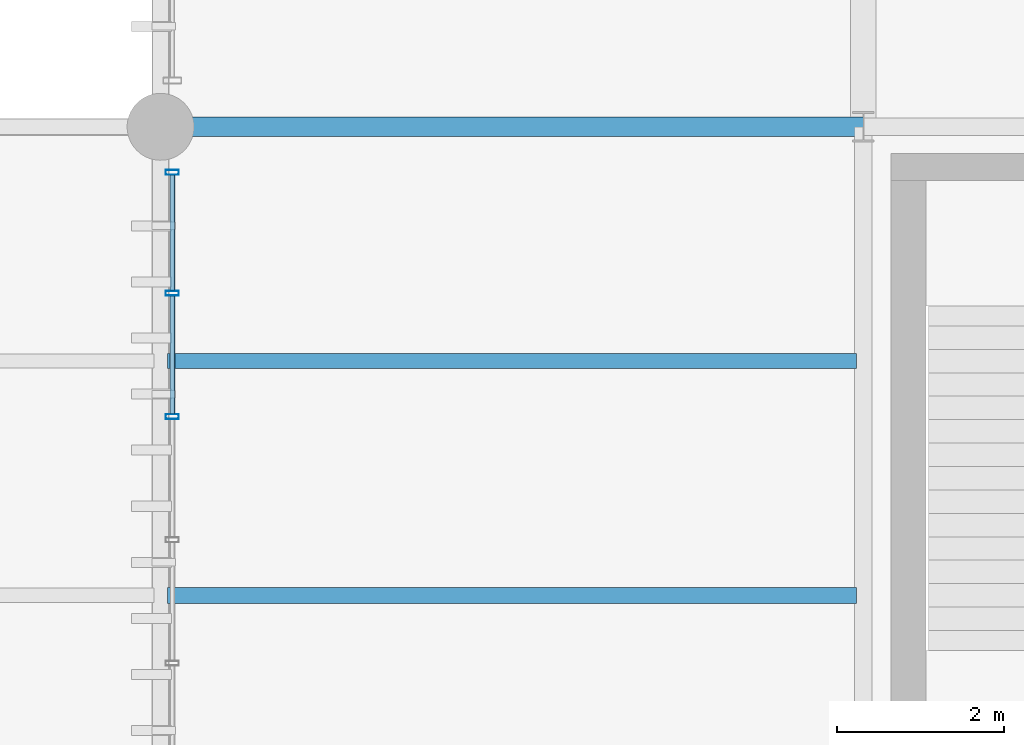
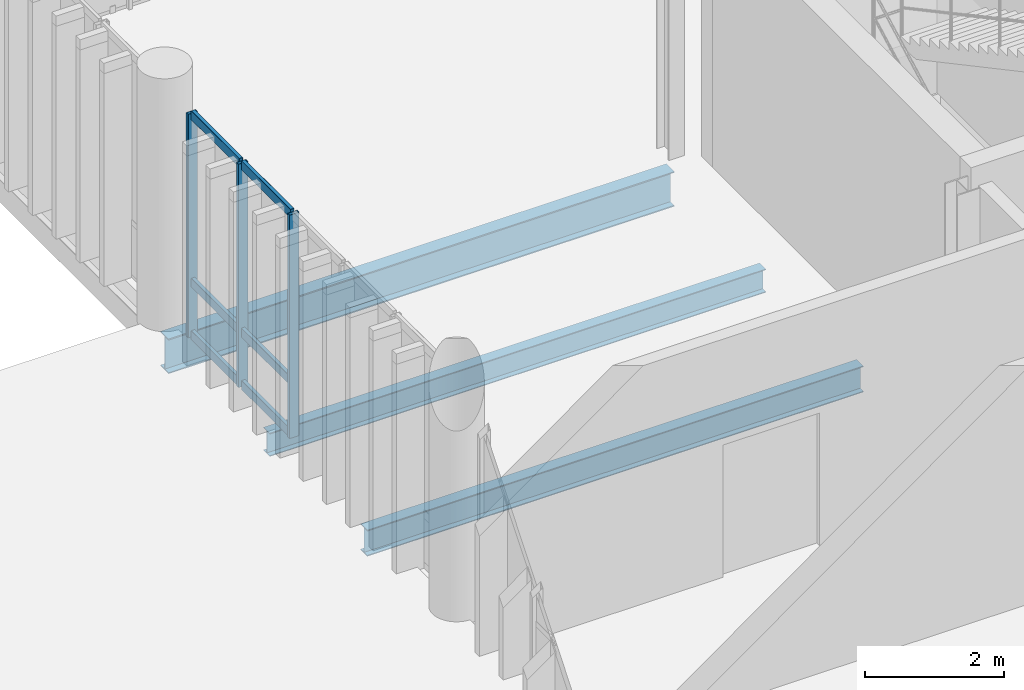
# One storey, part 19 of 68: 9 members, 3 beams, 1 element without a shape of its own.
"""IFC4 building model written with IfcOpenShell, lengths in metres."""

from ifc_helpers import new_model, si_unit, direction, frame, origin_with_axes, origin_2d_with_axis, place, context, subcontext, project, spatial, hollow_rectangle, i_section, extrude, material, material_profile, profile_set, type_object, element, aggregate, save


model = new_model("IFC4")

# Units and contexts
model_context = context("Model", 3, precision=1e-05, world=origin_with_axes(), true_north=direction((0.0, 1.0)))
body_context = subcontext(model_context, "Body", "Model", "MODEL_VIEW")
ifc_project = project(units=[si_unit("LENGTHUNIT", "METRE"), si_unit("AREAUNIT", "SQUARE_METRE"), si_unit("VOLUMEUNIT", "CUBIC_METRE"), si_unit("PLANEANGLEUNIT", "RADIAN"), si_unit("MASSUNIT", "GRAM", prefix="KILO"), si_unit("THERMODYNAMICTEMPERATUREUNIT", "KELVIN")], contexts=[model_context])

# Site, building, storey
site_placement = place(None, origin_with_axes())
site = spatial("IfcSite", under=ifc_project, at=site_placement, CompositionType="ELEMENT")
building_placement = place(site_placement, origin_with_axes())
building = spatial("IfcBuilding", under=site, at=building_placement, Name="Montbau Bow Law Courts", CompositionType="ELEMENT")
storey_placement = place(building_placement, frame((0.0, 0.0, 20.4), z_axis=(0.0, 0.0, 1.0), x_axis=(1.0, 0.0, 0.0)))
storey = spatial("IfcBuildingStorey", under=building, at=storey_placement, Name="L04", CompositionType="ELEMENT", Elevation=20.4)

# Beams
ifc_material_1 = material(Name="Steel CSA G40.21 Grade 350W (350 MPa)", Category="steel")
ifc_material_profile_1 = material_profile(ifc_material_1, i_section(OverallWidth=0.229, OverallDepth=0.612, WebThickness=0.0119, FlangeThickness=0.0196, at=origin_2d_with_axis()), Name="W610X125", Category="Main", Priority=0)
ifc_profile_set_1 = profile_set([ifc_material_profile_1], Name="Steel CSA G40.21 Grade 350W (350 MPa)")
beam_type_1 = type_object("IfcBeamType", Name="B-FLR-05", PredefinedType="BEAM", material=ifc_profile_set_1)
beam_1_placement = place(None, frame((46.8, 54.6, 19.814), z_axis=(1.0, 0.0, 0.0), x_axis=(0.0, 1.0, 0.0)))
element("IfcBeam", 1, at=beam_1_placement, inside=storey, type_object=beam_type_1, Name="BM-L04-S0927:bm2_0930", PredefinedType="BEAM", context=body_context, shape_type="SweptSolid", body=[
    extrude(i_section(OverallWidth=0.229, OverallDepth=0.612, WebThickness=0.0119, FlangeThickness=0.0196, at=origin_2d_with_axis()), origin_with_axes(), (0.0, 0.0, 1.0), 8.4),
])
ifc_material_profile_2 = material_profile(ifc_material_1, i_section(OverallWidth=0.191, OverallDepth=0.46, WebThickness=0.0099, FlangeThickness=0.016, at=origin_2d_with_axis()), Name="W460X82", Category="Main", Priority=0)
ifc_profile_set_2 = profile_set([ifc_material_profile_2], Name="Steel CSA G40.21 Grade 350W (350 MPa)")
beam_type_2 = type_object("IfcBeamType", Name="B-JST-01", PredefinedType="JOIST", material=ifc_profile_set_2)
beam_2_placement = place(None, frame((46.88, 49.0, 19.89), z_axis=(1.0, 0.0, 0.0), x_axis=(0.0, 1.0, 0.0)))
element("IfcBeam", 2, at=beam_2_placement, inside=storey, type_object=beam_type_2, Name="JST-L04-S0476:jst2_0476", PredefinedType="JOIST", context=body_context, shape_type="SweptSolid", body=[
    extrude(i_section(OverallWidth=0.191, OverallDepth=0.46, WebThickness=0.0099, FlangeThickness=0.016, at=origin_2d_with_axis()), origin_with_axes(), (0.0, 0.0, 1.0), 8.239),
])
ifc_material_profile_3 = material_profile(ifc_material_1, i_section(OverallWidth=0.179, OverallDepth=0.41, WebThickness=0.0088, FlangeThickness=0.0144, at=origin_2d_with_axis()), Name="W410X67", Category="Main", Priority=0)
ifc_profile_set_3 = profile_set([ifc_material_profile_3], Name="Steel CSA G40.21 Grade 350W (350 MPa)")
beam_type_3 = type_object("IfcBeamType", Name="B-JST-02", PredefinedType="JOIST", material=ifc_profile_set_3)
beam_3_placement = place(None, frame((46.88, 51.8, 19.915), z_axis=(1.0, 0.0, 0.0), x_axis=(0.0, 1.0, 0.0)))
element("IfcBeam", 3, at=beam_3_placement, inside=storey, type_object=beam_type_3, Name="JST-L04-S0477:jst2_0477", PredefinedType="JOIST", context=body_context, shape_type="SweptSolid", body=[
    extrude(i_section(OverallWidth=0.179, OverallDepth=0.41, WebThickness=0.0088, FlangeThickness=0.0144, at=origin_2d_with_axis()), origin_with_axes(), (0.0, 0.0, 1.0), 8.239),
])

# Curtain wall, members
ifc_material_2 = material(Name="Thermally Broken Extruded Aluminium AA 6063-T6", Category="aluminium")
curtain_wall_type = type_object("IfcCurtainWallType", Name="CW-CRM-01", PredefinedType="NOTDEFINED", material=ifc_material_2)
curtain_wall_placement = place(None, frame((46.94, 46.715, 20.4), z_axis=(0.0, 0.0, 1.0), x_axis=(1.0, 0.0, 0.0)))
curtain_wall = element("IfcCurtainWall", 4, at=curtain_wall_placement, inside=storey, type_object=curtain_wall_type, Name="CW-L04-206:cw_0206", PredefinedType="NOTDEFINED")
ifc_material_profile_4 = material_profile(ifc_material_2, hollow_rectangle(XDim=0.06, YDim=0.16, WallThickness=0.004, InnerFilletRadius=0.008, OuterFilletRadius=0.004, at=origin_2d_with_axis()), Name="CWM-160X60", Category="Main", Priority=0)
ifc_profile_set_4 = profile_set([ifc_material_profile_4], Name="Thermally Broken Extruded Aluminium AA 6063-T6")
member_type_1 = type_object("IfcMemberType", Name="M-MUL-03", PredefinedType="MULLION", material=ifc_profile_set_4)
member_1_placement = place(None, frame((46.94, 51.137, 20.4), z_axis=(0.0, 0.0, 1.0), x_axis=(0.0, 1.0, 0.0)))
member_1 = element("IfcMember", 5, at=member_1_placement, type_object=member_type_1, Name="CW-L04-206-M04:cw_0206_M04", PredefinedType="MULLION", context=body_context, shape_type="SweptSolid", body=[
    extrude(hollow_rectangle(XDim=0.06, YDim=0.16, WallThickness=0.004, InnerFilletRadius=0.008, OuterFilletRadius=0.004, at=origin_2d_with_axis()), origin_with_axes(), (0.0, 0.0, 1.0), 3.92),
])
member_2_placement = place(None, frame((46.94, 52.611, 20.4), z_axis=(0.0, 0.0, 1.0), x_axis=(0.0, 1.0, 0.0)))
member_2 = element("IfcMember", 6, at=member_2_placement, type_object=member_type_1, Name="CW-L04-206-M05:cw_0206_M05", PredefinedType="MULLION", context=body_context, shape_type="SweptSolid", body=[
    extrude(hollow_rectangle(XDim=0.06, YDim=0.16, WallThickness=0.004, InnerFilletRadius=0.008, OuterFilletRadius=0.004, at=origin_2d_with_axis()), origin_with_axes(), (0.0, 0.0, 1.0), 3.92),
])
member_3_placement = place(None, frame((46.94, 54.055, 20.4), z_axis=(0.0, 0.0, 1.0), x_axis=(0.0, 1.0, 0.0)))
member_3 = element("IfcMember", 7, at=member_3_placement, type_object=member_type_1, Name="CW-L04-206-M06:cw_0206_M06", PredefinedType="MULLION", context=body_context, shape_type="SweptSolid", body=[
    extrude(hollow_rectangle(XDim=0.06, YDim=0.16, WallThickness=0.004, InnerFilletRadius=0.008, OuterFilletRadius=0.004, at=origin_2d_with_axis()), origin_with_axes(), (0.0, 0.0, 1.0), 3.92),
])
ifc_material_profile_5 = material_profile(ifc_material_2, hollow_rectangle(XDim=0.06, YDim=0.16, WallThickness=0.004, InnerFilletRadius=0.008, OuterFilletRadius=0.004, at=origin_2d_with_axis()), Name="CWT-160X60", Category="Main", Priority=0)
ifc_profile_set_5 = profile_set([ifc_material_profile_5], Name="Thermally Broken Extruded Aluminium AA 6063-T6")
member_type_2 = type_object("IfcMemberType", Name="M-TRN-01", PredefinedType="USERDEFINED", material=ifc_profile_set_5)
member_4_placement = place(None, frame((46.94, 51.169, 20.43), z_axis=(0.0, 1.0, 0.0), x_axis=(-1.0, 0.0, 0.0)))
member_4 = element("IfcMember", 8, at=member_4_placement, type_object=member_type_2, Name="CW-L04-206-T04-1:cw_0206_T04_1", ObjectType="TRANSOM", PredefinedType="USERDEFINED", context=body_context, shape_type="SweptSolid", body=[
    extrude(hollow_rectangle(XDim=0.06, YDim=0.16, WallThickness=0.004, InnerFilletRadius=0.008, OuterFilletRadius=0.004, at=origin_2d_with_axis()), origin_with_axes(), (0.0, 0.0, 1.0), 1.41),
])
member_5_placement = place(None, frame((46.94, 51.169, 21.35), z_axis=(0.0, 1.0, 0.0), x_axis=(-1.0, 0.0, 0.0)))
member_5 = element("IfcMember", 9, at=member_5_placement, type_object=member_type_2, Name="CW-L04-206-T04-2:cw_0206_T04_2", ObjectType="TRANSOM", PredefinedType="USERDEFINED", context=body_context, shape_type="SweptSolid", body=[
    extrude(hollow_rectangle(XDim=0.06, YDim=0.16, WallThickness=0.004, InnerFilletRadius=0.008, OuterFilletRadius=0.004, at=origin_2d_with_axis()), origin_with_axes(), (0.0, 0.0, 1.0), 1.41),
])
member_6_placement = place(None, frame((46.94, 51.169, 24.29), z_axis=(0.0, 1.0, 0.0), x_axis=(-1.0, 0.0, 0.0)))
member_6 = element("IfcMember", 10, at=member_6_placement, type_object=member_type_2, Name="CW-L04-206-T04-3:cw_0206_T04_3", ObjectType="TRANSOM", PredefinedType="USERDEFINED", context=body_context, shape_type="SweptSolid", body=[
    extrude(hollow_rectangle(XDim=0.06, YDim=0.16, WallThickness=0.004, InnerFilletRadius=0.008, OuterFilletRadius=0.004, at=origin_2d_with_axis()), origin_with_axes(), (0.0, 0.0, 1.0), 1.41),
])
member_7_placement = place(None, frame((46.94, 52.643, 20.43), z_axis=(0.0, 1.0, 0.0), x_axis=(-1.0, 0.0, 0.0)))
member_7 = element("IfcMember", 11, at=member_7_placement, type_object=member_type_2, Name="CW-L04-206-T05-1:cw_0206_T05_1", ObjectType="TRANSOM", PredefinedType="USERDEFINED", context=body_context, shape_type="SweptSolid", body=[
    extrude(hollow_rectangle(XDim=0.06, YDim=0.16, WallThickness=0.004, InnerFilletRadius=0.008, OuterFilletRadius=0.004, at=origin_2d_with_axis()), origin_with_axes(), (0.0, 0.0, 1.0), 1.38),
])
member_8_placement = place(None, frame((46.94, 52.643, 21.35), z_axis=(0.0, 1.0, 0.0), x_axis=(-1.0, 0.0, 0.0)))
member_8 = element("IfcMember", 12, at=member_8_placement, type_object=member_type_2, Name="CW-L04-206-T05-2:cw_0206_T05_2", ObjectType="TRANSOM", PredefinedType="USERDEFINED", context=body_context, shape_type="SweptSolid", body=[
    extrude(hollow_rectangle(XDim=0.06, YDim=0.16, WallThickness=0.004, InnerFilletRadius=0.008, OuterFilletRadius=0.004, at=origin_2d_with_axis()), origin_with_axes(), (0.0, 0.0, 1.0), 1.38),
])
member_9_placement = place(None, frame((46.94, 52.643, 24.29), z_axis=(0.0, 1.0, 0.0), x_axis=(-1.0, 0.0, 0.0)))
member_9 = element("IfcMember", 13, at=member_9_placement, type_object=member_type_2, Name="CW-L04-206-T05-3:cw_0206_T05_3", ObjectType="TRANSOM", PredefinedType="USERDEFINED", context=body_context, shape_type="SweptSolid", body=[
    extrude(hollow_rectangle(XDim=0.06, YDim=0.16, WallThickness=0.004, InnerFilletRadius=0.008, OuterFilletRadius=0.004, at=origin_2d_with_axis()), origin_with_axes(), (0.0, 0.0, 1.0), 1.38),
])
aggregate(curtain_wall, [member_1, member_2, member_3, member_4, member_5, member_6, member_7, member_8, member_9])

save(model, "model.ifc")
